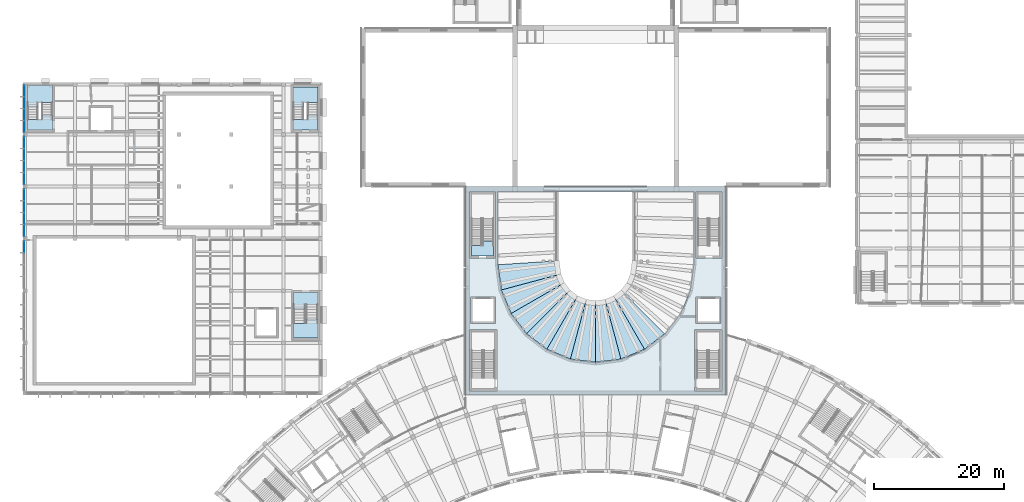
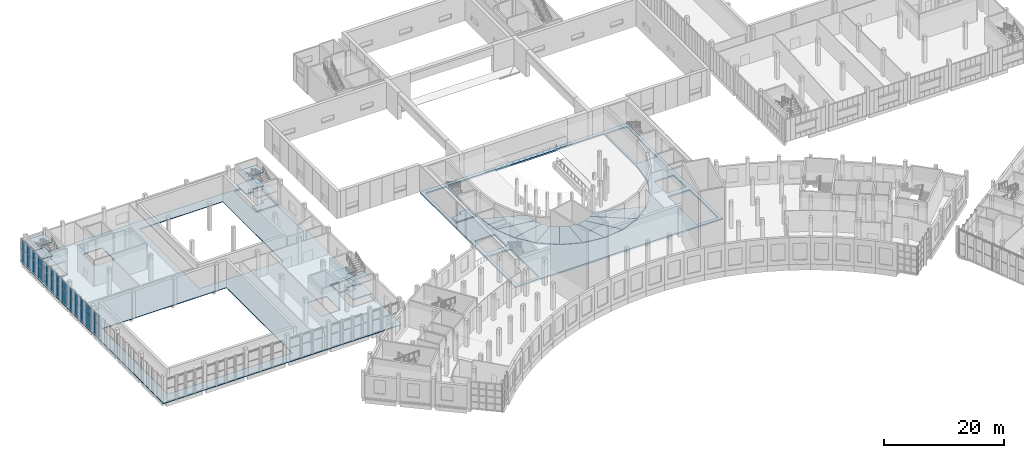
# One storey, part 27 of 87: 26 plates, 24 slabs, 7 elements without a shape of their own.
"""IFC4 building model written with IfcOpenShell, lengths in metres."""

from ifc_helpers import new_model, si_unit, direction, frame, origin, origin_2d, place, context, subcontext, project, spatial, polyline, rectangle, outline, extrude, material, layer, layer_set, type_object, element, aggregate, save


model = new_model("IFC4")

# Units and contexts
model_context = context("Model", 3, precision=1e-05, world=origin(), true_north=direction((0.0, 1.0)))
body_context = subcontext(model_context, "Body", "Model", "MODEL_VIEW")
ifc_project = project(units=[si_unit("LENGTHUNIT", "METRE"), si_unit("AREAUNIT", "SQUARE_METRE"), si_unit("VOLUMEUNIT", "CUBIC_METRE"), si_unit("PLANEANGLEUNIT", "RADIAN"), si_unit("MASSUNIT", "GRAM", prefix="KILO")], contexts=[model_context])

# Site, building, storey
site_placement = place(None, origin())
site = spatial("IfcSite", under=ifc_project, at=site_placement, CompositionType="ELEMENT")
building_placement = place(site_placement, origin())
building = spatial("IfcBuilding", under=site, at=building_placement, Name="Lunette Opera House", CompositionType="ELEMENT")
storey_placement = place(building_placement, frame((0.0, 0.0, 11.5)))
storey = spatial("IfcBuildingStorey", under=building, at=storey_placement, Name="L02", CompositionType="ELEMENT", Elevation=11.5)

# Slabs
ifc_material_1 = material(Name="Concrete C35/45", Category="concrete")
ifc_layer_1 = layer(ifc_material_1, 0.199951171875)
ifc_layer_set_1 = layer_set([ifc_layer_1], Name="Concrete C35/45")
slab_type_1 = type_object("IfcSlabType", Name="CORE LANDING SLAB 200", PredefinedType="LANDING", material=ifc_layer_set_1)
slab_1_placement = place(storey_placement, frame((0.0, 0.0, -0.199951171875)))
element("IfcSlab", 1, at=slab_1_placement, inside=storey, type_object=slab_type_1, Name="ST15 floor landing", PredefinedType="LANDING", context=body_context, shape_type="SweptSolid", body=[
    extrude(outline(polyline([(10.89990234375, 106.300048828125), (10.89990234375, 107.0), (12.5, 107.0), (12.5, 104.699951171875), (8.699951171875, 104.699951171875), (8.699951171875, 106.31005859375), (10.300048828125, 106.31005859375), (10.300048828125, 106.300048828125), (10.89990234375, 106.300048828125)])), origin(), (0.0, 0.0, 1.0), 0.199951171875),
])
slab_2_placement = place(storey_placement, frame((0.0, 0.0, -0.199951171875)))
element("IfcSlab", 2, at=slab_2_placement, inside=storey, type_object=slab_type_1, Name="ST16 floor landing", PredefinedType="LANDING", context=body_context, shape_type="SweptSolid", body=[
    extrude(outline(polyline([(53.300048828125, 77.919921875), (51.530029296875, 77.919921875), (51.530029296875, 77.929931640625), (51.3701171875, 77.929931640625), (51.3701171875, 77.22998046875), (49.60009765625, 77.22998046875), (49.60009765625, 79.699951171875), (53.300048828125, 79.699951171875), (53.300048828125, 77.919921875)])), origin(), (0.0, 0.0, 1.0), 0.199951171875),
])
slab_3_placement = place(storey_placement, frame((0.0, 0.0, -0.199951171875)))
element("IfcSlab", 3, at=slab_3_placement, inside=storey, type_object=slab_type_1, Name="ST17 floor landing", PredefinedType="LANDING", context=body_context, shape_type="SweptSolid", body=[
    extrude(outline(polyline([(53.3349609375, 104.699951171875), (49.5, 104.699951171875), (49.5, 106.31005859375), (51.10009765625, 106.31005859375), (51.10009765625, 106.300048828125), (51.735107421875, 106.300048828125), (51.735107421875, 107.0), (53.3349609375, 107.0), (53.3349609375, 104.699951171875)])), origin(), (0.0, 0.0, 1.0), 0.199951171875),
])
ifc_material_2 = material(Name="Concrete C35/45", Category="concrete")
ifc_layer_2 = layer(ifc_material_2, 0.300048828125)
ifc_layer_set_2 = layer_set([ifc_layer_2], Name="Concrete C35/45")
slab_type_2 = type_object("IfcSlabType", Name="CORE LANDING SLAB 300", PredefinedType="LANDING", material=ifc_layer_set_2)
slab_4_placement = place(storey_placement, frame((0.0, 0.0, -0.300048828125)))
element("IfcSlab", 4, at=slab_4_placement, inside=storey, type_object=slab_type_2, Name="ST10 floor landing", PredefinedType="LANDING", context=body_context, shape_type="SweptSolid", body=[
    extrude(outline(polyline([(76.89990234375, 85.300048828125), (76.89990234375, 86.929931640625), (78.52001953125, 86.929931640625), (78.52001953125, 86.919921875), (78.679931640625, 86.919921875), (78.679931640625, 87.6201171875), (80.300048828125, 87.6201171875), (80.300048828125, 85.300048828125), (76.89990234375, 85.300048828125)])), origin(), (0.0, 0.0, 1.0), 0.300048828125),
])

# Curtain wall, plates
ifc_material_3 = material(Name="Aluminium", Category="aluminium")
ifc_layer_3 = layer(ifc_material_3, 0.179931640625)
ifc_layer_set_3 = layer_set([ifc_layer_3], Name="Aluminium")
curtain_wall_type = type_object("IfcCurtainWallType", Name="SUN FACE CURTAIN WALL", PredefinedType="NOTDEFINED", material=ifc_layer_set_3)
curtain_wall_1_placement = place(storey_placement, origin())
curtain_wall_1 = element("IfcCurtainWall", 5, at=curtain_wall_1_placement, inside=storey, type_object=curtain_wall_type, Name="Sun Face Curtain Wall F13 L02", PredefinedType="NOTDEFINED")
ifc_material_4 = material(Name="Laminated glass", Category="glass")
ifc_layer_4 = layer(ifc_material_4, 0.028076171875)
ifc_layer_set_4 = layer_set([ifc_layer_4], Name="Laminated glass")
plate_type = type_object("IfcPlateType", Name="CURTAIN PANEL LAMINATED GLASS 28", PredefinedType="CURTAIN_PANEL", material=ifc_layer_set_4)
plate_1_placement = place(storey_placement, frame((8.181884765625, 110.706787109375, 0.06005859375), z_axis=(0.0, 0.0, 1.0), x_axis=(0.0, -1.0, 0.0)))
plate_1 = element("IfcPlate", 6, at=plate_1_placement, type_object=plate_type, Name="RW-X2029 panel 1.1", PredefinedType="CURTAIN_PANEL", context=body_context, shape_type="SweptSolid", body=[
    extrude(rectangle(XDim=1.736328125, YDim=0.028076171875, at=origin_2d()), origin(), (0.0, 0.0, 1.0), 2.5849609375),
])
plate_2_placement = place(storey_placement, frame((8.181884765625, 110.706787109375, 2.705078125), z_axis=(0.0, 0.0, 1.0), x_axis=(0.0, -1.0, 0.0)))
plate_2 = element("IfcPlate", 7, at=plate_2_placement, type_object=plate_type, Name="RW-X2029 panel 1.2", PredefinedType="CURTAIN_PANEL", context=body_context, shape_type="SweptSolid", body=[
    extrude(rectangle(XDim=1.736328125, YDim=0.028076171875, at=origin_2d()), origin(), (0.0, 0.0, 1.0), 1.784912109375),
])
plate_3_placement = place(storey_placement, frame((8.181884765625, 108.8955078125, 0.06005859375), z_axis=(0.0, 0.0, 1.0), x_axis=(0.0, -1.0, 0.0)))
plate_3 = element("IfcPlate", 8, at=plate_3_placement, type_object=plate_type, Name="RW-X2029 panel 2.1", PredefinedType="CURTAIN_PANEL", context=body_context, shape_type="SweptSolid", body=[
    extrude(rectangle(XDim=1.766357421875, YDim=0.028076171875, at=origin_2d()), origin(), (0.0, 0.0, 1.0), 2.5849609375),
])
plate_4_placement = place(storey_placement, frame((8.181884765625, 108.8955078125, 2.705078125), z_axis=(0.0, 0.0, 1.0), x_axis=(0.0, -1.0, 0.0)))
plate_4 = element("IfcPlate", 9, at=plate_4_placement, type_object=plate_type, Name="RW-X2029 panel 2.2", PredefinedType="CURTAIN_PANEL", context=body_context, shape_type="SweptSolid", body=[
    extrude(rectangle(XDim=1.766357421875, YDim=0.028076171875, at=origin_2d()), origin(), (0.0, 0.0, 1.0), 1.784912109375),
])
plate_5_placement = place(storey_placement, frame((8.181884765625, 107.0693359375, 0.06005859375), z_axis=(0.0, 0.0, 1.0), x_axis=(0.0, -1.0, 0.0)))
plate_5 = element("IfcPlate", 10, at=plate_5_placement, type_object=plate_type, Name="RW-X2029 panel 3.1", PredefinedType="CURTAIN_PANEL", context=body_context, shape_type="SweptSolid", body=[
    extrude(rectangle(XDim=1.766357421875, YDim=0.028076171875, at=origin_2d()), origin(), (0.0, 0.0, 1.0), 2.5849609375),
])
plate_6_placement = place(storey_placement, frame((8.181884765625, 107.0693359375, 2.705078125), z_axis=(0.0, 0.0, 1.0), x_axis=(0.0, -1.0, 0.0)))
plate_6 = element("IfcPlate", 11, at=plate_6_placement, type_object=plate_type, Name="RW-X2029 panel 3.2", PredefinedType="CURTAIN_PANEL", context=body_context, shape_type="SweptSolid", body=[
    extrude(rectangle(XDim=1.766357421875, YDim=0.028076171875, at=origin_2d()), origin(), (0.0, 0.0, 1.0), 1.784912109375),
])
plate_7_placement = place(storey_placement, frame((8.181884765625, 105.258056640625, 0.06005859375), z_axis=(0.0, 0.0, 1.0), x_axis=(0.0, -1.0, 0.0)))
plate_7 = element("IfcPlate", 12, at=plate_7_placement, type_object=plate_type, Name="RW-X2029 panel 4.1", PredefinedType="CURTAIN_PANEL", context=body_context, shape_type="SweptSolid", body=[
    extrude(rectangle(XDim=1.736328125, YDim=0.028076171875, at=origin_2d()), origin(), (0.0, 0.0, 1.0), 2.5849609375),
])
plate_8_placement = place(storey_placement, frame((8.181884765625, 105.258056640625, 2.705078125), z_axis=(0.0, 0.0, 1.0), x_axis=(0.0, -1.0, 0.0)))
plate_8 = element("IfcPlate", 13, at=plate_8_placement, type_object=plate_type, Name="RW-X2029 panel 4.2", PredefinedType="CURTAIN_PANEL", context=body_context, shape_type="SweptSolid", body=[
    extrude(rectangle(XDim=1.736328125, YDim=0.028076171875, at=origin_2d()), origin(), (0.0, 0.0, 1.0), 1.784912109375),
])
aggregate(curtain_wall_1, [plate_1, plate_2, plate_3, plate_4, plate_5, plate_6, plate_7, plate_8])

curtain_wall_2_placement = place(storey_placement, origin())
curtain_wall_2 = element("IfcCurtainWall", 14, at=curtain_wall_2_placement, inside=storey, type_object=curtain_wall_type, Name="Sun Face Curtain Wall F14 L02", PredefinedType="NOTDEFINED")
plate_9_placement = place(storey_placement, frame((8.181884765625, 102.76025390625, 0.06005859375), z_axis=(0.0, 0.0, 1.0), x_axis=(0.0, -1.0, 0.0)))
plate_9 = element("IfcPlate", 15, at=plate_9_placement, type_object=plate_type, Name="RW-X2030 panel 1.1", PredefinedType="CURTAIN_PANEL", context=body_context, shape_type="SweptSolid", body=[
    extrude(rectangle(XDim=1.75146484375, YDim=0.028076171875, at=origin_2d()), origin(), (0.0, 0.0, 1.0), 2.5849609375),
])
plate_10_placement = place(storey_placement, frame((8.181884765625, 102.76025390625, 2.705078125), z_axis=(0.0, 0.0, 1.0), x_axis=(0.0, -1.0, 0.0)))
plate_10 = element("IfcPlate", 16, at=plate_10_placement, type_object=plate_type, Name="RW-X2030 panel 1.2", PredefinedType="CURTAIN_PANEL", context=body_context, shape_type="SweptSolid", body=[
    extrude(rectangle(XDim=1.75146484375, YDim=0.028076171875, at=origin_2d()), origin(), (0.0, 0.0, 1.0), 1.784912109375),
])
plate_11_placement = place(storey_placement, frame((8.181884765625, 100.933837890625, 0.06005859375), z_axis=(0.0, 0.0, 1.0), x_axis=(0.0, -1.0, 0.0)))
plate_11 = element("IfcPlate", 17, at=plate_11_placement, type_object=plate_type, Name="RW-X2030 panel 2.1", PredefinedType="CURTAIN_PANEL", context=body_context, shape_type="SweptSolid", body=[
    extrude(rectangle(XDim=1.781494140625, YDim=0.028076171875, at=origin_2d()), origin(), (0.0, 0.0, 1.0), 2.5849609375),
])
plate_12_placement = place(storey_placement, frame((8.181884765625, 100.933837890625, 2.705078125), z_axis=(0.0, 0.0, 1.0), x_axis=(0.0, -1.0, 0.0)))
plate_12 = element("IfcPlate", 18, at=plate_12_placement, type_object=plate_type, Name="RW-X2030 panel 2.2", PredefinedType="CURTAIN_PANEL", context=body_context, shape_type="SweptSolid", body=[
    extrude(rectangle(XDim=1.781494140625, YDim=0.028076171875, at=origin_2d()), origin(), (0.0, 0.0, 1.0), 1.784912109375),
])
plate_13_placement = place(storey_placement, frame((8.181884765625, 99.09228515625, 0.06005859375), z_axis=(0.0, 0.0, 1.0), x_axis=(0.0, -1.0, 0.0)))
plate_13 = element("IfcPlate", 19, at=plate_13_placement, type_object=plate_type, Name="RW-X2030 panel 3.1", PredefinedType="CURTAIN_PANEL", context=body_context, shape_type="SweptSolid", body=[
    extrude(rectangle(XDim=1.781494140625, YDim=0.028076171875, at=origin_2d()), origin(), (0.0, 0.0, 1.0), 2.5849609375),
])
plate_14_placement = place(storey_placement, frame((8.181884765625, 99.09228515625, 2.705078125), z_axis=(0.0, 0.0, 1.0), x_axis=(0.0, -1.0, 0.0)))
plate_14 = element("IfcPlate", 20, at=plate_14_placement, type_object=plate_type, Name="RW-X2030 panel 3.2", PredefinedType="CURTAIN_PANEL", context=body_context, shape_type="SweptSolid", body=[
    extrude(rectangle(XDim=1.781494140625, YDim=0.028076171875, at=origin_2d()), origin(), (0.0, 0.0, 1.0), 1.784912109375),
])
plate_15_placement = place(storey_placement, frame((8.181884765625, 97.265869140625, 0.06005859375), z_axis=(0.0, 0.0, 1.0), x_axis=(0.0, -1.0, 0.0)))
plate_15 = element("IfcPlate", 21, at=plate_15_placement, type_object=plate_type, Name="RW-X2030 panel 4.1", PredefinedType="CURTAIN_PANEL", context=body_context, shape_type="SweptSolid", body=[
    extrude(rectangle(XDim=1.75146484375, YDim=0.028076171875, at=origin_2d()), origin(), (0.0, 0.0, 1.0), 2.5849609375),
])
plate_16_placement = place(storey_placement, frame((8.181884765625, 97.265869140625, 2.705078125), z_axis=(0.0, 0.0, 1.0), x_axis=(0.0, -1.0, 0.0)))
plate_16 = element("IfcPlate", 22, at=plate_16_placement, type_object=plate_type, Name="RW-X2030 panel 4.2", PredefinedType="CURTAIN_PANEL", context=body_context, shape_type="SweptSolid", body=[
    extrude(rectangle(XDim=1.75146484375, YDim=0.028076171875, at=origin_2d()), origin(), (0.0, 0.0, 1.0), 1.784912109375),
])
aggregate(curtain_wall_2, [plate_9, plate_10, plate_11, plate_12, plate_13, plate_14, plate_15, plate_16])

curtain_wall_3_placement = place(storey_placement, origin())
curtain_wall_3 = element("IfcCurtainWall", 23, at=curtain_wall_3_placement, inside=storey, type_object=curtain_wall_type, Name="Sun Face Curtain Wall F15 L02", PredefinedType="NOTDEFINED")
plate_17_placement = place(storey_placement, frame((8.181884765625, 94.737548828125, 0.06005859375), z_axis=(0.0, 0.0, 1.0), x_axis=(0.0, -1.0, 0.0)))
plate_17 = element("IfcPlate", 24, at=plate_17_placement, type_object=plate_type, Name="RW-X2031 panel 1.1", PredefinedType="CURTAIN_PANEL", context=body_context, shape_type="SweptSolid", body=[
    extrude(rectangle(XDim=1.7451171875, YDim=0.028076171875, at=origin_2d()), origin(), (0.0, 0.0, 1.0), 2.5849609375),
])
plate_18_placement = place(storey_placement, frame((8.181884765625, 94.737548828125, 2.705078125), z_axis=(0.0, 0.0, 1.0), x_axis=(0.0, -1.0, 0.0)))
plate_18 = element("IfcPlate", 25, at=plate_18_placement, type_object=plate_type, Name="RW-X2031 panel 1.2", PredefinedType="CURTAIN_PANEL", context=body_context, shape_type="SweptSolid", body=[
    extrude(rectangle(XDim=1.7451171875, YDim=0.028076171875, at=origin_2d()), origin(), (0.0, 0.0, 1.0), 1.784912109375),
])
plate_19_placement = place(storey_placement, frame((8.181884765625, 92.91748046875, 0.06005859375), z_axis=(0.0, 0.0, 1.0), x_axis=(0.0, -1.0, 0.0)))
plate_19 = element("IfcPlate", 26, at=plate_19_placement, type_object=plate_type, Name="RW-X2031 panel 2.1", PredefinedType="CURTAIN_PANEL", context=body_context, shape_type="SweptSolid", body=[
    extrude(rectangle(XDim=1.77490234375, YDim=0.028076171875, at=origin_2d()), origin(), (0.0, 0.0, 1.0), 2.5849609375),
])
plate_20_placement = place(storey_placement, frame((8.181884765625, 92.91748046875, 2.705078125), z_axis=(0.0, 0.0, 1.0), x_axis=(0.0, -1.0, 0.0)))
plate_20 = element("IfcPlate", 27, at=plate_20_placement, type_object=plate_type, Name="RW-X2031 panel 2.2", PredefinedType="CURTAIN_PANEL", context=body_context, shape_type="SweptSolid", body=[
    extrude(rectangle(XDim=1.77490234375, YDim=0.028076171875, at=origin_2d()), origin(), (0.0, 0.0, 1.0), 1.784912109375),
])
plate_21_placement = place(storey_placement, frame((8.181884765625, 91.08251953125, 0.06005859375), z_axis=(0.0, 0.0, 1.0), x_axis=(0.0, -1.0, 0.0)))
plate_21 = element("IfcPlate", 28, at=plate_21_placement, type_object=plate_type, Name="RW-X2031 panel 3.1", PredefinedType="CURTAIN_PANEL", context=body_context, shape_type="SweptSolid", body=[
    extrude(rectangle(XDim=1.77490234375, YDim=0.028076171875, at=origin_2d()), origin(), (0.0, 0.0, 1.0), 2.5849609375),
])
plate_22_placement = place(storey_placement, frame((8.181884765625, 91.08251953125, 2.705078125), z_axis=(0.0, 0.0, 1.0), x_axis=(0.0, -1.0, 0.0)))
plate_22 = element("IfcPlate", 29, at=plate_22_placement, type_object=plate_type, Name="RW-X2031 panel 3.2", PredefinedType="CURTAIN_PANEL", context=body_context, shape_type="SweptSolid", body=[
    extrude(rectangle(XDim=1.77490234375, YDim=0.028076171875, at=origin_2d()), origin(), (0.0, 0.0, 1.0), 1.784912109375),
])
plate_23_placement = place(storey_placement, frame((8.181884765625, 89.262451171875, 0.06005859375), z_axis=(0.0, 0.0, 1.0), x_axis=(0.0, -1.0, 0.0)))
plate_23 = element("IfcPlate", 30, at=plate_23_placement, type_object=plate_type, Name="RW-X2031 panel 4.1", PredefinedType="CURTAIN_PANEL", context=body_context, shape_type="SweptSolid", body=[
    extrude(rectangle(XDim=1.7451171875, YDim=0.028076171875, at=origin_2d()), origin(), (0.0, 0.0, 1.0), 2.5849609375),
])
plate_24_placement = place(storey_placement, frame((8.181884765625, 89.262451171875, 2.705078125), z_axis=(0.0, 0.0, 1.0), x_axis=(0.0, -1.0, 0.0)))
plate_24 = element("IfcPlate", 31, at=plate_24_placement, type_object=plate_type, Name="RW-X2031 panel 4.2", PredefinedType="CURTAIN_PANEL", context=body_context, shape_type="SweptSolid", body=[
    extrude(rectangle(XDim=1.7451171875, YDim=0.028076171875, at=origin_2d()), origin(), (0.0, 0.0, 1.0), 1.784912109375),
])
aggregate(curtain_wall_3, [plate_17, plate_18, plate_19, plate_20, plate_21, plate_22, plate_23, plate_24])

curtain_wall_4_placement = place(storey_placement, origin())
curtain_wall_4 = element("IfcCurtainWall", 32, at=curtain_wall_4_placement, inside=storey, type_object=curtain_wall_type, Name="Sun Face Curtain Wall F16 L02", PredefinedType="NOTDEFINED")
plate_25_placement = place(storey_placement, frame((8.181884765625, 86.737548828125, 0.06005859375), z_axis=(0.0, 0.0, 1.0), x_axis=(0.0, -1.0, 0.0)))
plate_25 = element("IfcPlate", 33, at=plate_25_placement, type_object=plate_type, Name="RW-X2032 panel 1.1", PredefinedType="CURTAIN_PANEL", context=body_context, shape_type="SweptSolid", body=[
    extrude(rectangle(XDim=1.7451171875, YDim=0.028076171875, at=origin_2d()), origin(), (0.0, 0.0, 1.0), 2.5849609375),
])
plate_26_placement = place(storey_placement, frame((8.181884765625, 86.737548828125, 2.705078125), z_axis=(0.0, 0.0, 1.0), x_axis=(0.0, -1.0, 0.0)))
plate_26 = element("IfcPlate", 34, at=plate_26_placement, type_object=plate_type, Name="RW-X2032 panel 1.2", PredefinedType="CURTAIN_PANEL", context=body_context, shape_type="SweptSolid", body=[
    extrude(rectangle(XDim=1.7451171875, YDim=0.028076171875, at=origin_2d()), origin(), (0.0, 0.0, 1.0), 1.784912109375),
])
aggregate(curtain_wall_4, [plate_25, plate_26])

# Slabs
ifc_material_5 = material(Name="Concrete C35/45", Category="concrete")
ifc_layer_5 = layer(ifc_material_5, 0.14990234375)
ifc_layer_set_5 = layer_set([ifc_layer_5], Name="Concrete C35/45")
slab_type_3 = type_object("IfcSlabType", Name="FLOOR SLAB 150", PredefinedType="FLOOR", material=ifc_layer_set_5)
slab_5_placement = place(storey_placement, frame((0.0, 0.0, -0.14990234375)))
element("IfcSlab", 35, at=slab_5_placement, inside=storey, type_object=slab_type_3, Name="slab-RW-L02-F1", PredefinedType="FLOOR", context=body_context, shape_type="SweptSolid", body=[
    extrude(outline(polyline([(8.0, 112.0), (8.0, 64.0), (54.0, 64.0), (54.0, 112.0), (8.0, 112.0)]), holes=[polyline([(34.0, 88.0), (34.0, 66.0), (10.0, 66.0), (10.0, 88.0), (34.0, 88.0)]), polyline([(46.0, 110.0), (46.0, 90.0), (30.0, 90.0), (30.0, 110.0), (46.0, 110.0)]), polyline([(43.60009765625, 72.800048828125), (43.60009765625, 77.39990234375), (47.199951171875, 77.39990234375), (47.199951171875, 72.800048828125), (43.60009765625, 72.800048828125)]), polyline([(49.300048828125, 72.39990234375), (49.300048828125, 80.0), (53.60009765625, 80.0), (53.60009765625, 72.39990234375), (49.300048828125, 72.39990234375)]), polyline([(18.199951171875, 104.39990234375), (18.199951171875, 108.39990234375), (21.800048828125, 108.39990234375), (21.800048828125, 104.39990234375), (18.199951171875, 104.39990234375)]), polyline([(8.39990234375, 111.635009765625), (12.800048828125, 111.635009765625), (12.800048828125, 104.39990234375), (8.39990234375, 104.39990234375), (8.39990234375, 111.635009765625)]), polyline([(49.199951171875, 111.635009765625), (53.635009765625, 111.635009765625), (53.635009765625, 104.39990234375), (49.199951171875, 104.39990234375), (49.199951171875, 111.635009765625)])]), origin(), (0.0, 0.0, 1.0), 0.14990234375),
])
ifc_material_6 = material(Name="Concrete C35/45", Category="concrete")
ifc_layer_6 = layer(ifc_material_6, 0.300048828125)
ifc_layer_set_6 = layer_set([ifc_layer_6], Name="Concrete C35/45")
slab_type_4 = type_object("IfcSlabType", Name="FLOOR SLAB 300", PredefinedType="FLOOR", material=ifc_layer_set_6)
slab_6_placement = place(storey_placement, frame((0.0, 0.0, -0.300048828125)))
element("IfcSlab", 36, at=slab_6_placement, inside=storey, type_object=slab_type_4, Name="slab-AU-L02-F1", PredefinedType="FLOOR", context=body_context, shape_type="SweptSolid", body=[
    extrude(outline(polyline([(116.0, 96.0), (76.0, 96.0), (76.0, 64.0), (116.0, 64.0), (116.0, 96.0)]), holes=[polyline([(90.080078125, 95.199951171875), (101.919921875, 95.199951171875), (101.919921875, 95.280029296875), (111.080078125, 95.280029296875), (111.080078125, 83.9951171875), (110.56689453125, 80.096923828125), (109.06005859375, 76.4599609375), (106.6640625, 73.3359375), (103.5400390625, 70.93994140625), (99.903076171875, 69.43310546875), (96.0, 68.9189453125), (92.096923828125, 69.43310546875), (88.4599609375, 70.93994140625), (85.3359375, 73.3359375), (82.93994140625, 76.4599609375), (81.43310546875, 80.096923828125), (80.919921875, 83.9951171875), (80.919921875, 95.280029296875), (90.080078125, 95.280029296875), (90.080078125, 95.199951171875)]), polyline([(80.800048828125, 64.60009765625), (76.60009765625, 64.60009765625), (76.60009765625, 74.0), (80.800048828125, 74.0), (80.800048828125, 64.60009765625)]), polyline([(111.199951171875, 64.60009765625), (111.199951171875, 74.0), (115.39990234375, 74.0), (115.39990234375, 64.60009765625), (111.199951171875, 64.60009765625)]), polyline([(76.800048828125, 75.0), (76.800048828125, 79.0), (80.60009765625, 79.0), (80.60009765625, 75.0), (76.800048828125, 75.0)]), polyline([(115.199951171875, 75.0), (111.39990234375, 75.0), (111.39990234375, 79.0), (115.199951171875, 79.0), (115.199951171875, 75.0)]), polyline([(76.60009765625, 85.0), (76.60009765625, 95.199951171875), (80.60009765625, 95.199951171875), (80.60009765625, 85.0), (76.60009765625, 85.0)]), polyline([(111.39990234375, 85.0), (111.39990234375, 95.199951171875), (115.39990234375, 95.199951171875), (115.39990234375, 85.0), (111.39990234375, 85.0)])]), origin(), (0.0, 0.0, 1.0), 0.300048828125),
])

# Stair, slabs
ifc_material_7 = material(Name="Concrete C35/45", Category="concrete")
stair_type_1 = type_object("IfcStairType", Name="DOGLEG STAIR 1600", PredefinedType="HALF_TURN_STAIR", material=ifc_material_7)
stair_1_placement = place(storey_placement, origin())
stair_1 = element("IfcStair", 37, at=stair_1_placement, inside=storey, type_object=stair_type_1, Name="L02 stair ST15", PredefinedType="HALF_TURN_STAIR")
ifc_material_8 = material(Name="Concrete C35/45", Category="concrete")
ifc_layer_7 = layer(ifc_material_8, 0.199951171875)
ifc_layer_set_7 = layer_set([ifc_layer_7], Name="Concrete C35/45")
slab_type_5 = type_object("IfcSlabType", Name="STAIR LANDING SLAB 200", PredefinedType="LANDING", material=ifc_layer_set_7)
slab_7_placement = place(storey_placement, frame((0.0, 0.0, 1.175048828125)))
slab_7 = element("IfcSlab", 38, at=slab_7_placement, type_object=slab_type_5, Name="ST15 landing 1", PredefinedType="LANDING", context=body_context, shape_type="SweptSolid", body=[
    extrude(outline(polyline([(12.5, 108.949951171875), (10.89990234375, 108.949951171875), (10.89990234375, 108.9599609375), (10.300048828125, 108.9599609375), (10.300048828125, 108.260009765625), (8.699951171875, 108.260009765625), (8.699951171875, 111.635009765625), (12.5, 111.635009765625), (12.5, 108.949951171875)])), origin(), (0.0, 0.0, 1.0), 0.199951171875),
])
slab_8_placement = place(storey_placement, frame((0.0, 0.0, 2.550048828125)))
slab_8 = element("IfcSlab", 39, at=slab_8_placement, type_object=slab_type_5, Name="ST15 landing 2", PredefinedType="LANDING", context=body_context, shape_type="SweptSolid", body=[
    extrude(outline(polyline([(8.699951171875, 104.699951171875), (8.699951171875, 106.31005859375), (10.300048828125, 106.31005859375), (10.300048828125, 106.300048828125), (10.89990234375, 106.300048828125), (10.89990234375, 107.0), (12.5, 107.0), (12.5, 104.699951171875), (8.699951171875, 104.699951171875)])), origin(), (0.0, 0.0, 1.0), 0.199951171875),
])
slab_9_placement = place(storey_placement, frame((0.0, 0.0, 3.925048828125)))
slab_9 = element("IfcSlab", 40, at=slab_9_placement, type_object=slab_type_5, Name="ST15 landing 3", PredefinedType="LANDING", context=body_context, shape_type="SweptSolid", body=[
    extrude(outline(polyline([(12.5, 108.949951171875), (10.89990234375, 108.949951171875), (10.89990234375, 108.9599609375), (10.300048828125, 108.9599609375), (10.300048828125, 108.260009765625), (8.699951171875, 108.260009765625), (8.699951171875, 111.635009765625), (12.5, 111.635009765625), (12.5, 108.949951171875)])), origin(), (0.0, 0.0, 1.0), 0.199951171875),
])
aggregate(stair_1, [slab_7, slab_8, slab_9])

ifc_material_9 = material(Name="Concrete C35/45", Category="concrete")
stair_type_2 = type_object("IfcStairType", Name="DOGLEG STAIR 1770", PredefinedType="HALF_TURN_STAIR", material=ifc_material_9)
stair_2_placement = place(storey_placement, origin())
stair_2 = element("IfcStair", 41, at=stair_2_placement, inside=storey, type_object=stair_type_2, Name="L02 stair ST16", PredefinedType="HALF_TURN_STAIR")
slab_10_placement = place(storey_placement, frame((0.0, 0.0, 1.175048828125)))
slab_10 = element("IfcSlab", 42, at=slab_10_placement, type_object=slab_type_5, Name="ST16 landing 1", PredefinedType="LANDING", context=body_context, shape_type="SweptSolid", body=[
    extrude(outline(polyline([(49.60009765625, 72.699951171875), (49.60009765625, 75.0), (51.3701171875, 75.0), (51.3701171875, 74.989990234375), (51.530029296875, 74.989990234375), (51.530029296875, 75.68994140625), (53.300048828125, 75.68994140625), (53.300048828125, 72.699951171875), (49.60009765625, 72.699951171875)])), origin(), (0.0, 0.0, 1.0), 0.199951171875),
])
slab_11_placement = place(storey_placement, frame((0.0, 0.0, 2.550048828125)))
slab_11 = element("IfcSlab", 43, at=slab_11_placement, type_object=slab_type_5, Name="ST16 landing 2", PredefinedType="LANDING", context=body_context, shape_type="SweptSolid", body=[
    extrude(outline(polyline([(53.300048828125, 77.919921875), (51.530029296875, 77.919921875), (51.530029296875, 77.929931640625), (51.3701171875, 77.929931640625), (51.3701171875, 77.22998046875), (49.60009765625, 77.22998046875), (49.60009765625, 79.699951171875), (53.300048828125, 79.699951171875), (53.300048828125, 77.919921875)])), origin(), (0.0, 0.0, 1.0), 0.199951171875),
])
slab_12_placement = place(storey_placement, frame((0.0, 0.0, 3.925048828125)))
slab_12 = element("IfcSlab", 44, at=slab_12_placement, type_object=slab_type_5, Name="ST16 landing 3", PredefinedType="LANDING", context=body_context, shape_type="SweptSolid", body=[
    extrude(outline(polyline([(49.60009765625, 72.699951171875), (49.60009765625, 75.0), (51.3701171875, 75.0), (51.3701171875, 74.989990234375), (51.530029296875, 74.989990234375), (51.530029296875, 75.68994140625), (53.300048828125, 75.68994140625), (53.300048828125, 72.699951171875), (49.60009765625, 72.699951171875)])), origin(), (0.0, 0.0, 1.0), 0.199951171875),
])
aggregate(stair_2, [slab_10, slab_11, slab_12])

stair_3_placement = place(storey_placement, origin())
stair_3 = element("IfcStair", 45, at=stair_3_placement, inside=storey, type_object=stair_type_1, Name="L02 stair ST17", PredefinedType="HALF_TURN_STAIR")
slab_13_placement = place(storey_placement, frame((0.0, 0.0, 1.175048828125)))
slab_13 = element("IfcSlab", 46, at=slab_13_placement, type_object=slab_type_5, Name="ST17 landing 1", PredefinedType="LANDING", context=body_context, shape_type="SweptSolid", body=[
    extrude(outline(polyline([(53.3349609375, 108.949951171875), (51.735107421875, 108.949951171875), (51.735107421875, 108.9599609375), (51.10009765625, 108.9599609375), (51.10009765625, 108.260009765625), (49.5, 108.260009765625), (49.5, 111.3349609375), (53.3349609375, 111.3349609375), (53.3349609375, 108.949951171875)])), origin(), (0.0, 0.0, 1.0), 0.199951171875),
])
slab_14_placement = place(storey_placement, frame((0.0, 0.0, 2.550048828125)))
slab_14 = element("IfcSlab", 47, at=slab_14_placement, type_object=slab_type_5, Name="ST17 landing 2", PredefinedType="LANDING", context=body_context, shape_type="SweptSolid", body=[
    extrude(outline(polyline([(53.3349609375, 104.699951171875), (49.5, 104.699951171875), (49.5, 106.31005859375), (51.10009765625, 106.31005859375), (51.10009765625, 106.300048828125), (51.735107421875, 106.300048828125), (51.735107421875, 107.0), (53.3349609375, 107.0), (53.3349609375, 104.699951171875)])), origin(), (0.0, 0.0, 1.0), 0.199951171875),
])
slab_15_placement = place(storey_placement, frame((0.0, 0.0, 3.925048828125)))
slab_15 = element("IfcSlab", 48, at=slab_15_placement, type_object=slab_type_5, Name="ST17 landing 3", PredefinedType="LANDING", context=body_context, shape_type="SweptSolid", body=[
    extrude(outline(polyline([(53.3349609375, 108.949951171875), (51.735107421875, 108.949951171875), (51.735107421875, 108.9599609375), (51.10009765625, 108.9599609375), (51.10009765625, 108.260009765625), (49.5, 108.260009765625), (49.5, 111.3349609375), (53.3349609375, 111.3349609375), (53.3349609375, 108.949951171875)])), origin(), (0.0, 0.0, 1.0), 0.199951171875),
])
aggregate(stair_3, [slab_13, slab_14, slab_15])

# Slabs
ifc_material_10 = material(Name="Concrete C35/45", Category="concrete")
ifc_layer_8 = layer(ifc_material_10, 0.199951171875)
ifc_layer_set_8 = layer_set([ifc_layer_8], Name="Concrete C35/45")
slab_type_6 = type_object("IfcSlabType", Name="TIER SLAB 200", PredefinedType="FLOOR", material=ifc_layer_set_8)
slab_16_placement = place(storey_placement, frame((81.0, 84.0, 0.0), z_axis=(0.284893347547, 0.037480785163, 0.95782616965), x_axis=(0.130495960847, -0.991448840779, -1.7905259e-05)))
element("IfcSlab", 49, at=slab_16_placement, inside=storey, type_object=slab_type_6, Name="slab-AU-L02-T1-02", PredefinedType="FLOOR", context=body_context, shape_type="SweptSolid", body=[
    extrude(outline(polyline([(0.0, 0.0), (3.9155654451366275, 5.551115123125783e-17), (2.73077765366487, 9.395923192099964), (0.5894700358273964, 9.39630060825405), (0.0, 0.0)])), origin(), (0.0, 0.0, -1.0), 0.199951171875),
])
slab_17_placement = place(storey_placement, frame((81.510986328125, 80.117919921875, 0.0), z_axis=(0.265461233562, 0.110009457396, 0.957824750546), x_axis=(0.382782508552, -0.923838487415, 1.7804735e-05)))
element("IfcSlab", 50, at=slab_17_placement, inside=storey, type_object=slab_type_6, Name="slab-AU-L02-T1-03", PredefinedType="FLOOR", context=body_context, shape_type="SweptSolid", body=[
    extrude(outline(polyline([(0.0, 0.0), (3.916173619998859, -2.220446049250313e-16), (2.7318503612783402, 9.396107945972462), (1.186005904215307, 9.39576951281199), (0.0, 0.0)])), origin(), (0.0, 0.0, -1.0), 0.199951171875),
])
slab_18_placement = place(storey_placement, frame((83.010009765625, 76.5, 0.0), z_axis=(0.22800640681, 0.17487084434, 0.957827367668), x_axis=(0.608601979405, -0.793475664761, -9.804524e-06)))
element("IfcSlab", 51, at=slab_18_placement, inside=storey, type_object=slab_type_6, Name="slab-AU-L02-T1-04", PredefinedType="FLOOR", context=body_context, shape_type="SweptSolid", body=[
    extrude(outline(polyline([(0.0, 0.0), (3.9156091871882097, 0.0), (2.7289415829019212, 9.396130808772918), (1.1826621103148776, 9.396317174831406), (0.0, 0.0)])), origin(), (0.0, 0.0, -1.0), 0.199951171875),
])
slab_19_placement = place(storey_placement, frame((85.39306640625, 73.39306640625, 0.0), z_axis=(0.17487084434, 0.22800640681, 0.957827367668), x_axis=(0.793475664761, -0.608601979405, 9.804524e-06)))
element("IfcSlab", 52, at=slab_19_placement, inside=storey, type_object=slab_type_6, Name="slab-AU-L02-T1-05", PredefinedType="FLOOR", context=body_context, shape_type="SweptSolid", body=[
    extrude(outline(polyline([(0.0, 0.0), (3.9156091871882097, 0.0), (2.732947076873332, 9.396317174831406), (1.1866676042862887, 9.396130808772918), (0.0, 0.0)])), origin(), (0.0, 0.0, -1.0), 0.199951171875),
])
slab_20_placement = place(storey_placement, frame((88.5, 71.010009765625, 0.0), z_axis=(0.110009457396, 0.265461233562, 0.957824750546), x_axis=(0.923838487415, -0.382782508552, -1.7804735e-05)))
element("IfcSlab", 53, at=slab_20_placement, inside=storey, type_object=slab_type_6, Name="slab-AU-L02-T1-06", PredefinedType="FLOOR", context=body_context, shape_type="SweptSolid", body=[
    extrude(outline(polyline([(0.0, 0.0), (3.916173619998859, 2.220446049250313e-16), (2.730167715783552, 9.39576951281199), (1.184323258720519, 9.396107945972462), (0.0, 0.0)])), origin(), (0.0, 0.0, -1.0), 0.199951171875),
])
slab_21_placement = place(storey_placement, frame((92.117919921875, 69.510986328125, 0.0), z_axis=(0.037467465937, 0.284891461943, 0.9578272516), x_axis=(0.991449326404, -0.130492268945, 3.0318e-05)))
element("IfcSlab", 54, at=slab_21_placement, inside=storey, type_object=slab_type_6, Name="slab-AU-L02-T1-07", PredefinedType="FLOOR", context=body_context, shape_type="SweptSolid", body=[
    extrude(outline(polyline([(0.0, 0.0), (3.915565443859266, 0.0), (2.730890316183349, 9.396499457458685), (1.1847877893035434, 9.39592319184105), (0.0, 0.0)])), origin(), (0.0, 0.0, -1.0), 0.199951171875),
])
slab_22_placement = place(storey_placement, frame((96.0, 69.0, 0.0), z_axis=(-0.037467465937, 0.284891461943, 0.9578272516), x_axis=(0.991449326404, 0.130492268945, -3.0318e-05)))
element("IfcSlab", 55, at=slab_22_placement, inside=storey, type_object=slab_type_6, Name="slab-AU-L02-T1-08", PredefinedType="FLOOR", context=body_context, shape_type="SweptSolid", body=[
    extrude(outline(polyline([(0.0, 0.0), (3.915565443859266, 0.0), (2.7307776545557227, 9.39592319184105), (1.1846751276759173, 9.396499457458685), (0.0, 0.0)])), origin(), (0.0, 0.0, -1.0), 0.199951171875),
])
slab_23_placement = place(storey_placement, frame((99.882080078125, 69.510986328125, 0.0), z_axis=(-0.110009457396, 0.265461233562, 0.957824750546), x_axis=(0.923838487415, 0.382782508552, 1.7804735e-05)))
element("IfcSlab", 56, at=slab_23_placement, inside=storey, type_object=slab_type_6, Name="slab-AU-L02-T1-09", PredefinedType="FLOOR", context=body_context, shape_type="SweptSolid", body=[
    extrude(outline(polyline([(0.0, 0.0), (3.916173619998859, -2.220446049250313e-16), (2.7318503612783402, 9.396107945972462), (1.186005904215307, 9.39576951281199), (0.0, 0.0)])), origin(), (0.0, 0.0, -1.0), 0.199951171875),
])
slab_24_placement = place(storey_placement, frame((103.5, 71.010009765625, 0.0), z_axis=(-0.17487084434, 0.22800640681, 0.957827367668), x_axis=(0.793475664761, 0.608601979405, -9.804524e-06)))
element("IfcSlab", 57, at=slab_24_placement, inside=storey, type_object=slab_type_6, Name="slab-AU-L02-T1-10", PredefinedType="FLOOR", context=body_context, shape_type="SweptSolid", body=[
    extrude(outline(polyline([(0.0, 0.0), (3.9156091871882097, 0.0), (2.7289415829019212, 9.396130808772918), (1.1826621103148776, 9.396317174831406), (0.0, 0.0)])), origin(), (0.0, 0.0, -1.0), 0.199951171875),
])

save(model, "model.ifc")
